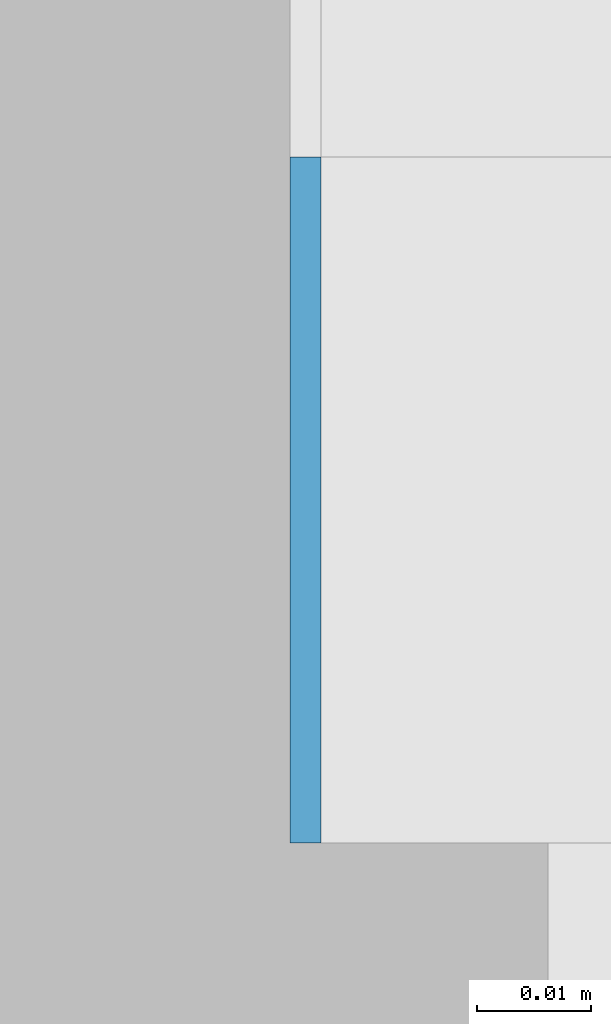
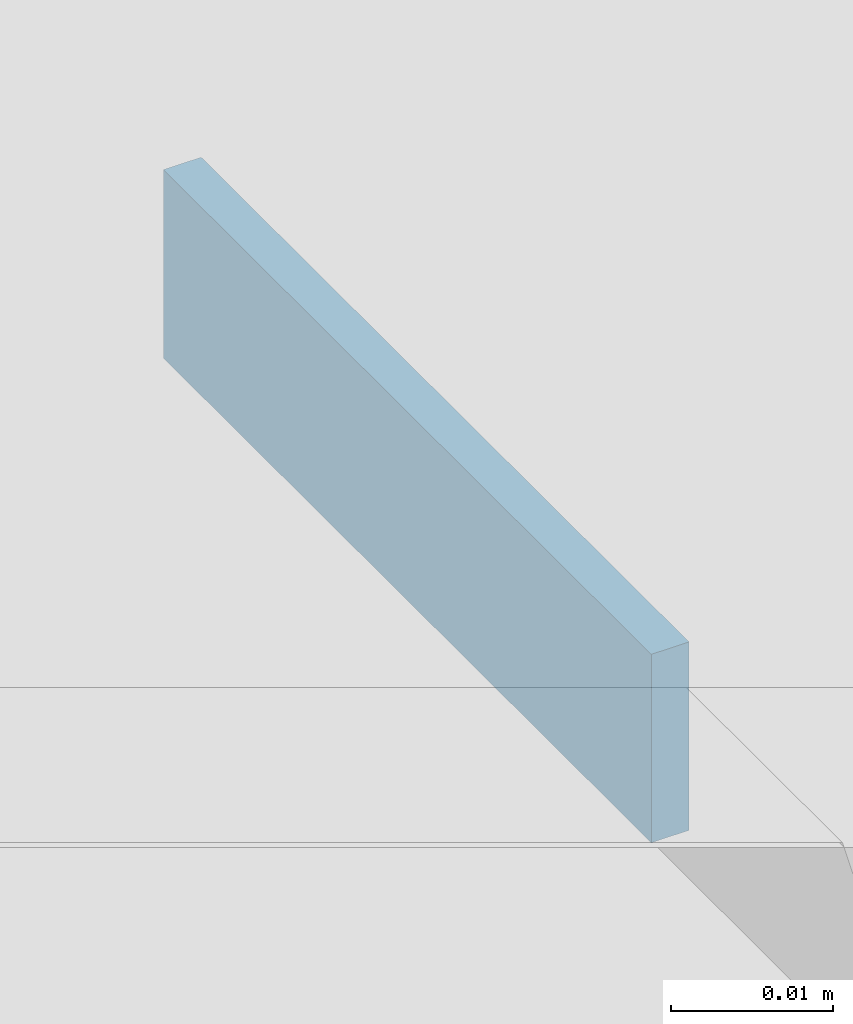
# One storey, part 587 of 646: 1 discrete accessory.
"""IFC4 building model written with IfcOpenShell, lengths in metres."""

from ifc_helpers import new_model, si_unit, direction, frame, origin, origin_2d, place, context, subcontext, project, spatial, rectangle, extrude, material, type_object, element, save


model = new_model("IFC4")

# Units and contexts
model_context = context("Model", 3, precision=1e-05, world=origin(), true_north=direction((0.0, 1.0)))
body_context = subcontext(model_context, "Body", "Model", "MODEL_VIEW")
ifc_project = project(units=[si_unit("LENGTHUNIT", "METRE"), si_unit("AREAUNIT", "SQUARE_METRE"), si_unit("VOLUMEUNIT", "CUBIC_METRE"), si_unit("PLANEANGLEUNIT", "RADIAN"), si_unit("MASSUNIT", "GRAM", prefix="KILO")], contexts=[model_context])

# Site, building, storey
site_placement = place(None, origin())
site = spatial("IfcSite", under=ifc_project, at=site_placement, CompositionType="ELEMENT")
building_placement = place(site_placement, origin())
building = spatial("IfcBuilding", under=site, at=building_placement, Name="Silverbay Arena", CompositionType="ELEMENT")
storey_placement = place(building_placement, frame((0.0, 0.0, 33.5)))
storey = spatial("IfcBuildingStorey", under=building, at=storey_placement, Name="L05", CompositionType="ELEMENT", Elevation=33.5)

# Discrete accessory
ifc_material = material(Name="Steel S355", Category="steel")
discrete_accessory_type = type_object("IfcDiscreteAccessoryType", Name="Steel bracket plate", PredefinedType="BRACKET", material=ifc_material)
discrete_accessory_placement = place(storey_placement, frame((207.128662109375, 116.969970703125, 12.98583984375), z_axis=(0.0, 0.0, 1.0), x_axis=(1.0, 0.0, 0.0)))
element("IfcDiscreteAccessory", 1, at=discrete_accessory_placement, inside=storey, type_object=discrete_accessory_type, Name="Curtain wall packing plate", PredefinedType="BRACKET", context=body_context, shape_type="SweptSolid", body=[
    extrude(rectangle(XDim=0.002685546875, YDim=0.06005859375, at=origin_2d()), origin(), (0.0, 0.0, 1.0), 0.01416015625),
])

save(model, "model.ifc")
